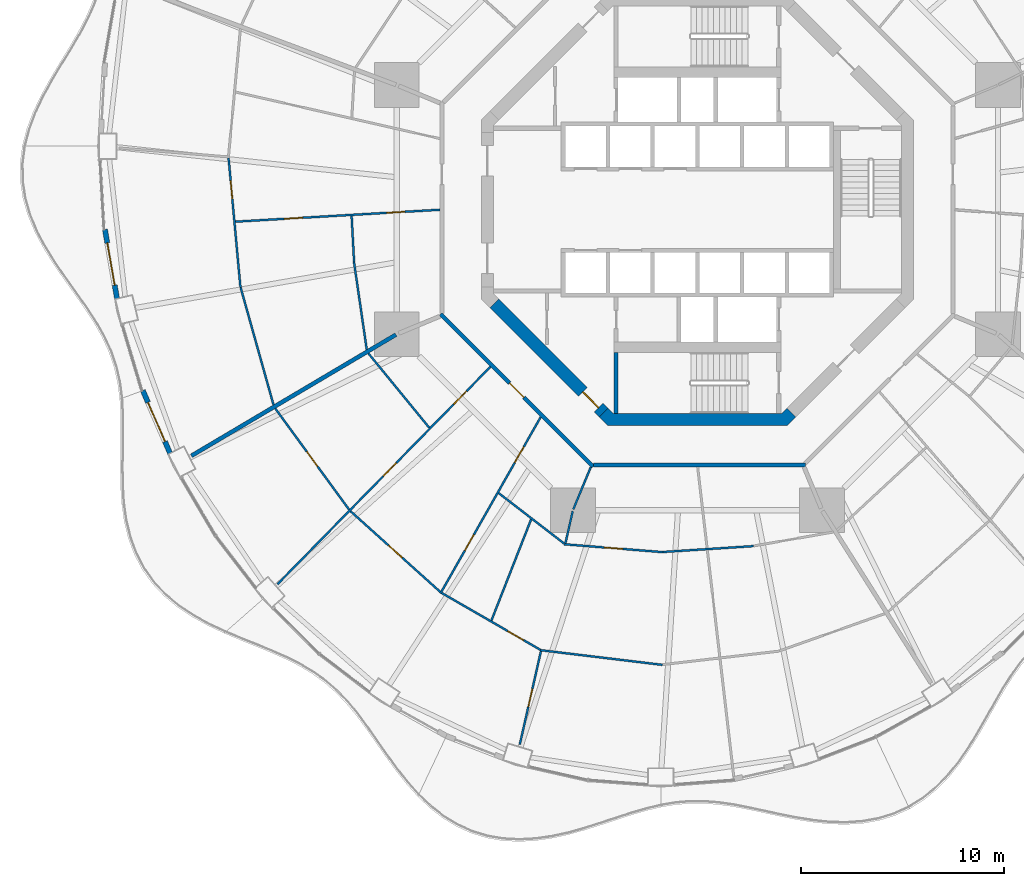
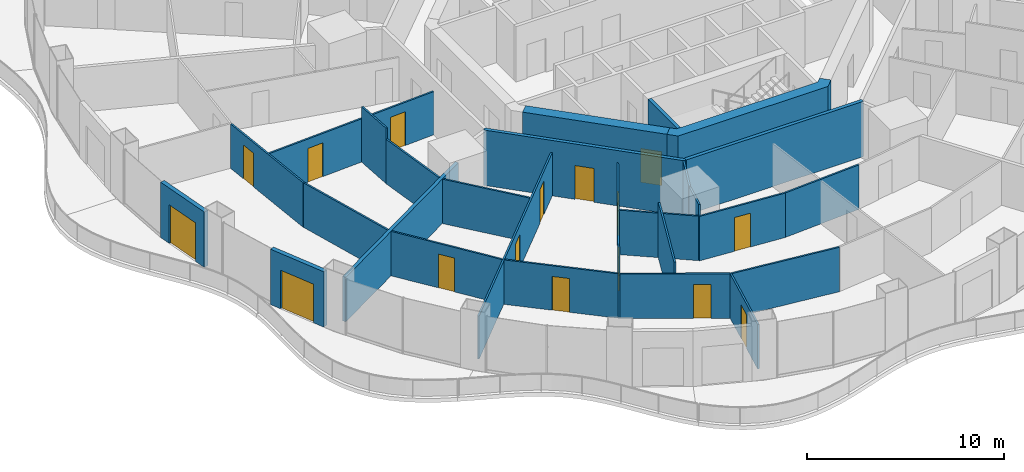
# One storey, part 14 of 22: 27 walls, 16 doors, 16 openings.
"""IFC4 building model written with IfcOpenShell, lengths in metres."""

from ifc_helpers import new_model, si_unit, direction, frame, frame_2d, origin, place, context, subcontext, project, spatial, polyline, rectangle, outline, extrude, material, layer, layer_set, type_object, element, fill, save


model = new_model("IFC4")

# Units and contexts
model_context = context("Model", 3, precision=1e-05, world=origin(), true_north=direction((0.0, 1.0)))
body_context = subcontext(model_context, "Body", "Model", "MODEL_VIEW")
ifc_project = project(units=[si_unit("LENGTHUNIT", "METRE"), si_unit("AREAUNIT", "SQUARE_METRE"), si_unit("VOLUMEUNIT", "CUBIC_METRE"), si_unit("PLANEANGLEUNIT", "RADIAN"), si_unit("MASSUNIT", "GRAM", prefix="KILO")], contexts=[model_context])

# Site, building, storey
site_placement = place(None, origin())
site = spatial("IfcSite", under=ifc_project, at=site_placement, CompositionType="ELEMENT")
building_placement = place(site_placement, origin())
building = spatial("IfcBuilding", under=site, at=building_placement, Name="Nagisa Residences", CompositionType="ELEMENT")
storey_placement = place(building_placement, frame((0.0, 0.0, 91.800048828125)))
storey = spatial("IfcBuildingStorey", under=building, at=storey_placement, Name="L22", CompositionType="ELEMENT", Elevation=91.800048828125)

# Wall
ifc_material_1 = material(Name="Gypsum board on steel studs", Category="steel")
ifc_layer_1 = layer(ifc_material_1, 0.199951171875)
ifc_layer_set_1 = layer_set([ifc_layer_1], Name="Apartment compartment wall EI60 200")
wall_type_1 = type_object("IfcWallType", Name="Apartment compartment wall EI60 200", PredefinedType="PARTITIONING", material=ifc_layer_set_1)
wall_1_placement = place(storey_placement, frame((-14.824951171875, -6.1484375, 0.0), z_axis=(0.0, 0.0, 1.0), x_axis=(-0.860400431487, -0.509618580408, 0.0)))
element("IfcWall", 1, at=wall_1_placement, inside=storey, type_object=wall_type_1, Name="wall:L22:u05", PredefinedType="PARTITIONING", context=body_context, shape_type="SweptSolid", body=[
    extrude(rectangle(XDim=11.687744140625, YDim=0.199951171875, at=frame_2d((5.84375, 0.0))), origin(), (0.0, 0.0, 1.0), 2.761962890625),
])

# Wall, opening, door
ifc_material_2 = material(Name="Gypsum board on steel studs", Category="steel")
ifc_layer_2 = layer(ifc_material_2, 0.199951171875)
ifc_layer_set_2 = layer_set([ifc_layer_2], Name="Apartment entry wall EI60 200")
wall_type_2 = type_object("IfcWallType", Name="Apartment entry wall EI60 200", PredefinedType="PARTITIONING", material=ifc_layer_set_2)
wall_2_placement = place(storey_placement, frame((-12.635498046875, -5.1337890625, 0.0), z_axis=(0.0, 0.0, 1.0), x_axis=(0.707106781187, -0.707106781187, 0.0)))
wall_2 = element("IfcWall", 2, at=wall_2_placement, inside=storey, type_object=wall_type_2, Name="wall:L22:u15", PredefinedType="PARTITIONING", context=body_context, shape_type="SweptSolid", body=[
    extrude(rectangle(XDim=10.609130859375, YDim=0.199951171875, at=frame_2d((5.3046875, 0.0))), origin(), (0.0, 0.0, 1.0), 3.43994140625),
])
opening_1_placement = place(wall_2_placement, frame((4.804443359375, 0.0, 0.0)))
opening_1 = element("IfcOpeningElement", 3, at=opening_1_placement, cuts=wall_2, Name="Opening L22-U24", PredefinedType="OPENING", context=body_context, shape_type="SweptSolid", body=[
    extrude(rectangle(XDim=1.0, YDim=2.10009765625, at=frame_2d((0.5, 1.050048828125))), frame((0.0, 0.10986328125, 0.0), z_axis=(0.0, -1.0, 0.0), x_axis=(1.0, 0.0, 0.0)), (0.0, 0.0, 1.0), 0.219970703125),
])
ifc_material_3 = material(Name="Timber fire door set", Category="wood")
door_type_1 = type_object("IfcDoorType", Name="Apartment entry door FD30S 1000x2100", OperationType="NOTDEFINED", PredefinedType="DOOR", material=ifc_material_3)
door_1_placement = place(opening_1_placement, frame((1.0, 0.0, 0.0), x_axis=(-1.0, 0.0, 0.0)))
door_1 = element("IfcDoor", 4, at=door_1_placement, inside=storey, type_object=door_type_1, Name="Entry door, Apartment 22C", OperationType="SINGLE_SWING_LEFT", OverallHeight=2.10009765625, OverallWidth=1.0, PredefinedType="DOOR", context=body_context, shape_type="SweptSolid", body=[
    extrude(rectangle(XDim=1.0, YDim=2.10009765625, at=frame_2d((0.5, 1.050048828125))), frame((0.0, 0.02490234375, 0.0), z_axis=(0.0, -1.0, 0.0), x_axis=(1.0, 0.0, 0.0)), (0.0, 0.0, 1.0), 0.050048828125),
])
fill(opening_1, door_1)

# Wall
wall_3_placement = place(storey_placement, frame((-5.1044921875, -12.564697265625, 0.0), z_axis=(0.0, 0.0, 1.0), x_axis=(1.0, 0.0, 0.0)))
element("IfcWall", 5, at=wall_3_placement, inside=storey, type_object=wall_type_2, Name="wall:L22:u16", PredefinedType="PARTITIONING", context=body_context, shape_type="SweptSolid", body=[
    extrude(rectangle(XDim=10.408935546875, YDim=0.199951171875, at=frame_2d((5.20458984375, 0.0))), origin(), (0.0, 0.0, 1.0), 3.43994140625),
])

# Wall, opening, door
ifc_material_4 = material(Name="Gypsum board on steel studs", Category="steel")
ifc_layer_3 = layer(ifc_material_4, 0.10009765625)
ifc_layer_set_3 = layer_set([ifc_layer_3], Name="Apartment partition 100")
wall_type_3 = type_object("IfcWallType", Name="Apartment partition 100", PredefinedType="PARTITIONING", material=ifc_layer_set_3)
wall_4_placement = place(storey_placement, frame((-23.056884765625, 2.54248046875, 0.0), z_axis=(0.0, 0.0, 1.0), x_axis=(0.091364304609, -0.995817535417, 0.0)))
wall_4 = element("IfcWall", 6, at=wall_4_placement, inside=storey, type_object=wall_type_3, Name="wall:L22:u60", PredefinedType="PARTITIONING", context=body_context, shape_type="SweptSolid", body=[
    extrude(rectangle(XDim=6.402587890625, YDim=0.10009765625, at=frame_2d((3.201171875, 0.0))), origin(), (0.0, 0.0, 1.0), 2.761962890625),
])
opening_2_placement = place(wall_4_placement, frame((1.12548828125, 0.0, 0.0)))
opening_2 = element("IfcOpeningElement", 7, at=opening_2_placement, cuts=wall_4, Name="Opening L22-U23", PredefinedType="OPENING", context=body_context, shape_type="SweptSolid", body=[
    extrude(rectangle(XDim=0.89990234375, YDim=2.10009765625, at=frame_2d((0.449951171875, 1.050048828125))), frame((0.0, 0.06005859375, 0.0), z_axis=(0.0, -1.0, 0.0), x_axis=(1.0, 0.0, 0.0)), (0.0, 0.0, 1.0), 0.1201171875),
])
ifc_material_5 = material(Name="Timber door set", Category="wood")
door_type_2 = type_object("IfcDoorType", Name="Apartment door 900x2100", OperationType="NOTDEFINED", PredefinedType="DOOR", material=ifc_material_5)
door_2_placement = place(opening_2_placement, frame((0.89990234375, 0.0, 0.0), x_axis=(-1.0, 0.0, 0.0)))
door_2 = element("IfcDoor", 8, at=door_2_placement, inside=storey, type_object=door_type_2, Name="Door to living room, Apartment 22B", OperationType="SINGLE_SWING_RIGHT", OverallHeight=2.10009765625, OverallWidth=0.89990234375, PredefinedType="DOOR", context=body_context, shape_type="SweptSolid", body=[
    extrude(rectangle(XDim=0.89990234375, YDim=2.10009765625, at=frame_2d((0.449951171875, 1.050048828125))), frame((0.0, 0.02490234375, 0.0), z_axis=(0.0, -1.0, 0.0), x_axis=(1.0, 0.0, 0.0)), (0.0, 0.0, 1.0), 0.050048828125),
])
fill(opening_2, door_2)

# Wall, openings, doors
wall_5_placement = place(storey_placement, frame((-12.66455078125, -0.005859375, 0.0), z_axis=(0.0, 0.0, 1.0), x_axis=(-0.998300603128, -0.058274400843, 0.0)))
wall_5 = element("IfcWall", 9, at=wall_5_placement, inside=storey, type_object=wall_type_3, Name="wall:L22:u61", PredefinedType="PARTITIONING", context=body_context, shape_type="SweptSolid", body=[
    extrude(rectangle(XDim=10.071533203125, YDim=0.10009765625, at=frame_2d((5.03564453125, 0.0))), origin(), (0.0, 0.0, 1.0), 2.68701171875),
])
opening_3_placement = place(wall_5_placement, frame((1.7255859375, 0.0, 0.0)))
opening_3 = element("IfcOpeningElement", 10, at=opening_3_placement, cuts=wall_5, Name="Opening L22-U19", PredefinedType="OPENING", context=body_context, shape_type="SweptSolid", body=[
    extrude(rectangle(XDim=0.89990234375, YDim=2.10009765625, at=frame_2d((0.449951171875, 1.050048828125))), frame((0.0, 0.06005859375, 0.0), z_axis=(0.0, -1.0, 0.0), x_axis=(1.0, 0.0, 0.0)), (0.0, 0.0, 1.0), 0.1201171875),
])
opening_4_placement = place(wall_5_placement, frame((6.761474609375, 0.0, 0.0)))
opening_4 = element("IfcOpeningElement", 11, at=opening_4_placement, cuts=wall_5, Name="Opening L22-U21", PredefinedType="OPENING", context=body_context, shape_type="SweptSolid", body=[
    extrude(rectangle(XDim=0.89990234375, YDim=2.10009765625, at=frame_2d((0.449951171875, 1.050048828125))), frame((0.0, 0.06005859375, 0.0), z_axis=(0.0, -1.0, 0.0), x_axis=(1.0, 0.0, 0.0)), (0.0, 0.0, 1.0), 0.1201171875),
])
door_3_placement = place(opening_3_placement, origin())
door_3 = element("IfcDoor", 12, at=door_3_placement, inside=storey, type_object=door_type_2, Name="Door to store, Apartment 22B", OperationType="SINGLE_SWING_LEFT", OverallHeight=2.10009765625, OverallWidth=0.89990234375, PredefinedType="DOOR", context=body_context, shape_type="SweptSolid", body=[
    extrude(rectangle(XDim=0.89990234375, YDim=2.10009765625, at=frame_2d((0.449951171875, 1.050048828125))), frame((0.0, 0.02490234375, 0.0), z_axis=(0.0, -1.0, 0.0), x_axis=(1.0, 0.0, 0.0)), (0.0, 0.0, 1.0), 0.050048828125),
])
fill(opening_3, door_3)
door_4_placement = place(opening_4_placement, origin())
door_4 = element("IfcDoor", 13, at=door_4_placement, inside=storey, type_object=door_type_2, Name="Door to kitchen, Apartment 22B", OperationType="SINGLE_SWING_LEFT", OverallHeight=2.10009765625, OverallWidth=0.89990234375, PredefinedType="DOOR", context=body_context, shape_type="SweptSolid", body=[
    extrude(rectangle(XDim=0.89990234375, YDim=2.10009765625, at=frame_2d((0.449951171875, 1.050048828125))), frame((0.0, 0.02490234375, 0.0), z_axis=(0.0, -1.0, 0.0), x_axis=(1.0, 0.0, 0.0)), (0.0, 0.0, 1.0), 0.050048828125),
])
fill(opening_4, door_4)

# Walls
wall_6_placement = place(storey_placement, frame((-17.005859375, -0.309326171875, 0.0), z_axis=(0.0, 0.0, 1.0), x_axis=(0.053749298185, -0.998554461682, 0.0)))
element("IfcWall", 14, at=wall_6_placement, inside=storey, type_object=wall_type_3, Name="wall:L22:u62", PredefinedType="PARTITIONING", context=body_context, shape_type="SweptSolid", body=[
    extrude(rectangle(XDim=2.27099609375, YDim=0.10009765625, at=frame_2d((1.135498046875, 0.0))), origin(), (0.0, 0.0, 1.0), 3.43994140625),
])
wall_7_placement = place(storey_placement, frame((-16.888427734375, -2.577392578125, 0.0), z_axis=(0.0, 0.0, 1.0), x_axis=(0.144228053649, -0.989544475272, 0.0)))
element("IfcWall", 15, at=wall_7_placement, inside=storey, type_object=wall_type_3, Name="wall:L22:u63", PredefinedType="PARTITIONING", context=body_context, shape_type="SweptSolid", body=[
    extrude(rectangle(XDim=4.35888671875, YDim=0.10009765625, at=frame_2d((2.179443359375, 0.0))), origin(), (0.0, 0.0, 1.0), 2.761962890625),
])
wall_8_placement = place(storey_placement, frame((-22.462890625, -3.83154296875, 0.0), z_axis=(0.0, 0.0, 1.0), x_axis=(0.269805201578, -0.962914925215, 0.0)))
element("IfcWall", 16, at=wall_8_placement, inside=storey, type_object=wall_type_3, Name="wall:L22:u64", PredefinedType="PARTITIONING", context=body_context, shape_type="SweptSolid", body=[
    extrude(rectangle(XDim=5.992919921875, YDim=0.10009765625, at=frame_2d((2.99658203125, 0.0))), origin(), (0.0, 0.0, 1.0), 2.761962890625),
])
wall_9_placement = place(storey_placement, frame((-16.181884765625, -7.067138671875, 0.0), z_axis=(0.0, 0.0, 1.0), x_axis=(0.633400832951, -0.773823871962, 0.0)))
element("IfcWall", 17, at=wall_9_placement, inside=storey, type_object=wall_type_3, Name="wall:L22:u65", PredefinedType="PARTITIONING", context=body_context, shape_type="SweptSolid", body=[
    extrude(rectangle(XDim=4.72900390625, YDim=0.10009765625, at=frame_2d((2.364501953125, 0.0))), origin(), (0.0, 0.0, 1.0), 2.761962890625),
])

# Wall, opening, door
wall_10_placement = place(storey_placement, frame((-20.760009765625, -9.779296875, 0.0), z_axis=(0.0, 0.0, 1.0), x_axis=(0.589597019189, -0.807697564045, 0.0)))
wall_10 = element("IfcWall", 18, at=wall_10_placement, inside=storey, type_object=wall_type_3, Name="wall:L22:u66", PredefinedType="PARTITIONING", context=body_context, shape_type="SweptSolid", body=[
    extrude(rectangle(XDim=6.15771484375, YDim=0.10009765625, at=frame_2d((3.078857421875, 0.0))), origin(), (0.0, 0.0, 1.0), 2.761962890625),
])
opening_5_placement = place(wall_10_placement, frame((2.62890625, 0.0, 0.0)))
opening_5 = element("IfcOpeningElement", 19, at=opening_5_placement, cuts=wall_10, Name="Opening L22-U29", PredefinedType="OPENING", context=body_context, shape_type="SweptSolid", body=[
    extrude(rectangle(XDim=0.89990234375, YDim=2.10009765625, at=frame_2d((0.449951171875, 1.050048828125))), frame((0.0, 0.06005859375, 0.0), z_axis=(0.0, -1.0, 0.0), x_axis=(1.0, 0.0, 0.0)), (0.0, 0.0, 1.0), 0.1201171875),
])
door_5_placement = place(opening_5_placement, frame((0.89990234375, 0.0, 0.0), x_axis=(-1.0, 0.0, 0.0)))
door_5 = element("IfcDoor", 20, at=door_5_placement, inside=storey, type_object=door_type_2, Name="Door to master bedroom, Apartment 22C", OperationType="SINGLE_SWING_RIGHT", OverallHeight=2.10009765625, OverallWidth=0.89990234375, PredefinedType="DOOR", context=body_context, shape_type="SweptSolid", body=[
    extrude(rectangle(XDim=0.89990234375, YDim=2.10009765625, at=frame_2d((0.449951171875, 1.050048828125))), frame((0.0, 0.02490234375, 0.0), z_axis=(0.0, -1.0, 0.0), x_axis=(1.0, 0.0, 0.0)), (0.0, 0.0, 1.0), 0.050048828125),
])
fill(opening_5, door_5)

# Wall, openings, doors
wall_11_placement = place(storey_placement, frame((-10.181396484375, -7.729248046875, 0.0), z_axis=(0.0, 0.0, 1.0), x_axis=(-0.699708106083, -0.714428839201, 0.0)))
wall_11 = element("IfcWall", 21, at=wall_11_placement, inside=storey, type_object=wall_type_3, Name="wall:L22:u67", PredefinedType="PARTITIONING", context=body_context, shape_type="SweptSolid", body=[
    extrude(rectangle(XDim=14.95947265625, YDim=0.10009765625, at=frame_2d((7.479736328125, 0.0))), origin(), (0.0, 0.0, 1.0), 2.68701171875),
])
opening_6_placement = place(wall_11_placement, frame((1.6748046875, 0.0, 0.0)))
opening_6 = element("IfcOpeningElement", 22, at=opening_6_placement, cuts=wall_11, Name="Opening L22-U25", PredefinedType="OPENING", context=body_context, shape_type="SweptSolid", body=[
    extrude(rectangle(XDim=0.89990234375, YDim=2.10009765625, at=frame_2d((0.449951171875, 1.050048828125))), frame((0.0, 0.06005859375, 0.0), z_axis=(0.0, -1.0, 0.0), x_axis=(1.0, 0.0, 0.0)), (0.0, 0.0, 1.0), 0.1201171875),
])
opening_7_placement = place(wall_11_placement, frame((6.61865234375, 0.0, 0.0)))
opening_7 = element("IfcOpeningElement", 23, at=opening_7_placement, cuts=wall_11, Name="Opening L22-U27", PredefinedType="OPENING", context=body_context, shape_type="SweptSolid", body=[
    extrude(rectangle(XDim=0.89990234375, YDim=2.10009765625, at=frame_2d((0.449951171875, 1.050048828125))), frame((0.0, 0.06005859375, 0.0), z_axis=(0.0, -1.0, 0.0), x_axis=(1.0, 0.0, 0.0)), (0.0, 0.0, 1.0), 0.1201171875),
])
door_6_placement = place(opening_6_placement, frame((0.89990234375, 0.0, 0.0), x_axis=(-1.0, 0.0, 0.0)))
door_6 = element("IfcDoor", 24, at=door_6_placement, inside=storey, type_object=door_type_2, Name="Door to laundry, Apartment 22C", OperationType="SINGLE_SWING_RIGHT", OverallHeight=2.10009765625, OverallWidth=0.89990234375, PredefinedType="DOOR", context=body_context, shape_type="SweptSolid", body=[
    extrude(rectangle(XDim=0.89990234375, YDim=2.10009765625, at=frame_2d((0.449951171875, 1.050048828125))), frame((0.0, 0.02490234375, 0.0), z_axis=(0.0, -1.0, 0.0), x_axis=(1.0, 0.0, 0.0)), (0.0, 0.0, 1.0), 0.050048828125),
])
fill(opening_6, door_6)
door_7_placement = place(opening_7_placement, frame((0.89990234375, 0.0, 0.0), x_axis=(-1.0, 0.0, 0.0)))
door_7 = element("IfcDoor", 25, at=door_7_placement, inside=storey, type_object=door_type_2, Name="Door to family room, Apartment 22C", OperationType="SINGLE_SWING_RIGHT", OverallHeight=2.10009765625, OverallWidth=0.89990234375, PredefinedType="DOOR", context=body_context, shape_type="SweptSolid", body=[
    extrude(rectangle(XDim=0.89990234375, YDim=2.10009765625, at=frame_2d((0.449951171875, 1.050048828125))), frame((0.0, 0.02490234375, 0.0), z_axis=(0.0, -1.0, 0.0), x_axis=(1.0, 0.0, 0.0)), (0.0, 0.0, 1.0), 0.050048828125),
])
fill(opening_7, door_7)

# Wall, opening, door
wall_12_placement = place(storey_placement, frame((-17.062744140625, -14.826904296875, 0.0), z_axis=(0.0, 0.0, 1.0), x_axis=(0.743478142868, -0.668760234373, 0.0)))
wall_12 = element("IfcWall", 26, at=wall_12_placement, inside=storey, type_object=wall_type_3, Name="wall:L22:u68", PredefinedType="PARTITIONING", context=body_context, shape_type="SweptSolid", body=[
    extrude(rectangle(XDim=5.93701171875, YDim=0.10009765625, at=frame_2d((2.968505859375, 0.0))), origin(), (0.0, 0.0, 1.0), 2.761962890625),
])
opening_8_placement = place(wall_12_placement, frame((2.5185546875, 0.0, 0.0)))
opening_8 = element("IfcOpeningElement", 27, at=opening_8_placement, cuts=wall_12, Name="Opening L22-U30", PredefinedType="OPENING", context=body_context, shape_type="SweptSolid", body=[
    extrude(rectangle(XDim=0.89990234375, YDim=2.10009765625, at=frame_2d((0.449951171875, 1.050048828125))), frame((0.0, 0.06005859375, 0.0), z_axis=(0.0, -1.0, 0.0), x_axis=(1.0, 0.0, 0.0)), (0.0, 0.0, 1.0), 0.1201171875),
])
door_8_placement = place(opening_8_placement, frame((0.89990234375, 0.0, 0.0), x_axis=(-1.0, 0.0, 0.0)))
door_8 = element("IfcDoor", 28, at=door_8_placement, inside=storey, type_object=door_type_2, Name="Door to living room, Apartment 22C", OperationType="SINGLE_SWING_LEFT", OverallHeight=2.10009765625, OverallWidth=0.89990234375, PredefinedType="DOOR", context=body_context, shape_type="SweptSolid", body=[
    extrude(rectangle(XDim=0.89990234375, YDim=2.10009765625, at=frame_2d((0.449951171875, 1.050048828125))), frame((0.0, 0.02490234375, 0.0), z_axis=(0.0, -1.0, 0.0), x_axis=(1.0, 0.0, 0.0)), (0.0, 0.0, 1.0), 0.050048828125),
])
fill(opening_8, door_8)

# Wall, openings, doors
wall_13_placement = place(storey_placement, frame((-7.707275390625, -10.1982421875, 0.0), z_axis=(0.0, 0.0, 1.0), x_axis=(-0.493963587489, -0.869482589955, 0.0)))
wall_13 = element("IfcWall", 29, at=wall_13_placement, inside=storey, type_object=wall_type_3, Name="wall:L22:u69", PredefinedType="PARTITIONING", context=body_context, shape_type="SweptSolid", body=[
    extrude(rectangle(XDim=9.978271484375, YDim=0.10009765625, at=frame_2d((4.9892578125, 0.0))), origin(), (0.0, 0.0, 1.0), 2.68701171875),
])
opening_9_placement = place(wall_13_placement, frame((1.68359375, 0.0, 0.0)))
opening_9 = element("IfcOpeningElement", 30, at=opening_9_placement, cuts=wall_13, Name="Opening L22-U26", PredefinedType="OPENING", context=body_context, shape_type="SweptSolid", body=[
    extrude(rectangle(XDim=0.89990234375, YDim=2.10009765625, at=frame_2d((0.449951171875, 1.050048828125))), frame((0.0, 0.06005859375, 0.0), z_axis=(0.0, -1.0, 0.0), x_axis=(1.0, 0.0, 0.0)), (0.0, 0.0, 1.0), 0.1201171875),
])
opening_10_placement = place(wall_13_placement, frame((6.647705078125, 0.0, 0.0)))
opening_10 = element("IfcOpeningElement", 31, at=opening_10_placement, cuts=wall_13, Name="Opening L22-U28", PredefinedType="OPENING", context=body_context, shape_type="SweptSolid", body=[
    extrude(rectangle(XDim=0.89990234375, YDim=2.10009765625, at=frame_2d((0.449951171875, 1.050048828125))), frame((0.0, 0.06005859375, 0.0), z_axis=(0.0, -1.0, 0.0), x_axis=(1.0, 0.0, 0.0)), (0.0, 0.0, 1.0), 0.1201171875),
])
door_9_placement = place(opening_9_placement, origin())
door_9 = element("IfcDoor", 32, at=door_9_placement, inside=storey, type_object=door_type_2, Name="Door to family bathroom, Apartment 22C", OperationType="SINGLE_SWING_RIGHT", OverallHeight=2.10009765625, OverallWidth=0.89990234375, PredefinedType="DOOR", context=body_context, shape_type="SweptSolid", body=[
    extrude(rectangle(XDim=0.89990234375, YDim=2.10009765625, at=frame_2d((0.449951171875, 1.050048828125))), frame((0.0, 0.02490234375, 0.0), z_axis=(0.0, -1.0, 0.0), x_axis=(1.0, 0.0, 0.0)), (0.0, 0.0, 1.0), 0.050048828125),
])
fill(opening_9, door_9)
door_10_placement = place(opening_10_placement, origin())
door_10 = element("IfcDoor", 33, at=door_10_placement, inside=storey, type_object=door_type_2, Name="Door to family bathroom, Apartment 22C", OperationType="SINGLE_SWING_RIGHT", OverallHeight=2.10009765625, OverallWidth=0.89990234375, PredefinedType="DOOR", context=body_context, shape_type="SweptSolid", body=[
    extrude(rectangle(XDim=0.89990234375, YDim=2.10009765625, at=frame_2d((0.449951171875, 1.050048828125))), frame((0.0, 0.02490234375, 0.0), z_axis=(0.0, -1.0, 0.0), x_axis=(1.0, 0.0, 0.0)), (0.0, 0.0, 1.0), 0.050048828125),
])
fill(opening_10, door_10)

# Wall
wall_14_placement = place(storey_placement, frame((-9.775390625, -13.93896484375, 0.0), z_axis=(0.0, 0.0, 1.0), x_axis=(0.792156642473, -0.61031783014, 0.0)))
element("IfcWall", 34, at=wall_14_placement, inside=storey, type_object=wall_type_3, Name="wall:L22:u70", PredefinedType="PARTITIONING", context=body_context, shape_type="SweptSolid", body=[
    extrude(rectangle(XDim=4.080322265625, YDim=0.10009765625, at=frame_2d((2.0400390625, 0.0))), origin(), (0.0, 0.0, 1.0), 2.761962890625),
])

# Wall, opening, door
wall_15_placement = place(storey_placement, frame((-12.568115234375, -18.855712890625, 0.0), z_axis=(0.0, 0.0, 1.0), x_axis=(0.866532513598, -0.499120629585, 0.0)))
wall_15 = element("IfcWall", 35, at=wall_15_placement, inside=storey, type_object=wall_type_3, Name="wall:L22:u71", PredefinedType="PARTITIONING", context=body_context, shape_type="SweptSolid", body=[
    extrude(rectangle(XDim=5.5849609375, YDim=0.10009765625, at=frame_2d((2.79248046875, 0.0))), origin(), (0.0, 0.0, 1.0), 2.761962890625),
])
opening_11_placement = place(wall_15_placement, frame((3.73876953125, 0.0, 0.0)))
opening_11 = element("IfcOpeningElement", 36, at=opening_11_placement, cuts=wall_15, Name="Opening L22-U32", PredefinedType="OPENING", context=body_context, shape_type="SweptSolid", body=[
    extrude(rectangle(XDim=0.89990234375, YDim=2.10009765625, at=frame_2d((0.449951171875, 1.050048828125))), frame((0.0, 0.06005859375, 0.0), z_axis=(0.0, -1.0, 0.0), x_axis=(1.0, 0.0, 0.0)), (0.0, 0.0, 1.0), 0.1201171875),
])
door_11_placement = place(opening_11_placement, origin())
door_11 = element("IfcDoor", 37, at=door_11_placement, inside=storey, type_object=door_type_2, Name="Door to dining room, Apartment 22C", OperationType="SINGLE_SWING_RIGHT", OverallHeight=2.10009765625, OverallWidth=0.89990234375, PredefinedType="DOOR", context=body_context, shape_type="SweptSolid", body=[
    extrude(rectangle(XDim=0.89990234375, YDim=2.10009765625, at=frame_2d((0.449951171875, 1.050048828125))), frame((0.0, 0.02490234375, 0.0), z_axis=(0.0, -1.0, 0.0), x_axis=(1.0, 0.0, 0.0)), (0.0, 0.0, 1.0), 0.050048828125),
])
fill(opening_11, door_11)

# Walls
wall_16_placement = place(storey_placement, frame((-8.177490234375, -15.230712890625, 0.0), z_axis=(0.0, 0.0, 1.0), x_axis=(-0.365520869553, -0.930803144559, 0.0)))
element("IfcWall", 38, at=wall_16_placement, inside=storey, type_object=wall_type_3, Name="wall:L22:u72", PredefinedType="PARTITIONING", context=body_context, shape_type="SweptSolid", body=[
    extrude(rectangle(XDim=5.342041015625, YDim=0.10009765625, at=frame_2d((2.6708984375, 0.0))), origin(), (0.0, 0.0, 1.0), 3.43994140625),
])
wall_17_placement = place(storey_placement, frame((-5.24267578125, -12.6572265625, 0.0), z_axis=(0.0, 0.0, 1.0), x_axis=(-0.382719158442, -0.923864733477, 0.0)))
element("IfcWall", 39, at=wall_17_placement, inside=storey, type_object=wall_type_3, Name="wall:L22:u73", PredefinedType="PARTITIONING", context=body_context, shape_type="SweptSolid", body=[
    extrude(rectangle(XDim=2.25, YDim=0.10009765625, at=frame_2d((1.125, 0.0))), origin(), (0.0, 0.0, 1.0), 3.43994140625),
])
wall_18_placement = place(storey_placement, frame((-6.134033203125, -14.831298828125, 0.0), z_axis=(0.0, 0.0, 1.0), x_axis=(-0.221269290858, -0.975212746493, 0.0)))
element("IfcWall", 40, at=wall_18_placement, inside=storey, type_object=wall_type_3, Name="wall:L22:u74", PredefinedType="PARTITIONING", context=body_context, shape_type="SweptSolid", body=[
    extrude(rectangle(XDim=1.61962890625, YDim=0.10009765625, at=frame_2d((0.809814453125, 0.0))), origin(), (0.0, 0.0, 1.0), 3.43994140625),
])

# Wall, opening, door
wall_19_placement = place(storey_placement, frame((-6.55322265625, -16.45556640625, 0.0), z_axis=(0.0, 0.0, 1.0), x_axis=(0.996817033118, -0.079723286975, 0.0)))
wall_19 = element("IfcWall", 41, at=wall_19_placement, inside=storey, type_object=wall_type_3, Name="wall:L22:u75", PredefinedType="PARTITIONING", context=body_context, shape_type="SweptSolid", body=[
    extrude(rectangle(XDim=4.865966796875, YDim=0.10009765625, at=frame_2d((2.43310546875, 0.0))), origin(), (0.0, 0.0, 1.0), 2.761962890625),
])
opening_12_placement = place(wall_19_placement, frame((1.983154296875, 0.0, 0.0)))
opening_12 = element("IfcOpeningElement", 42, at=opening_12_placement, cuts=wall_19, Name="Opening L22-U35", PredefinedType="OPENING", context=body_context, shape_type="SweptSolid", body=[
    extrude(rectangle(XDim=0.89990234375, YDim=2.10009765625, at=frame_2d((0.449951171875, 1.050048828125))), frame((0.0, 0.06005859375, 0.0), z_axis=(0.0, -1.0, 0.0), x_axis=(1.0, 0.0, 0.0)), (0.0, 0.0, 1.0), 0.1201171875),
])
door_12_placement = place(opening_12_placement, origin())
door_12 = element("IfcDoor", 43, at=door_12_placement, inside=storey, type_object=door_type_2, Name="Door to store, Apartment 22C", OperationType="SINGLE_SWING_LEFT", OverallHeight=2.10009765625, OverallWidth=0.89990234375, PredefinedType="DOOR", context=body_context, shape_type="SweptSolid", body=[
    extrude(rectangle(XDim=0.89990234375, YDim=2.10009765625, at=frame_2d((0.449951171875, 1.050048828125))), frame((0.0, 0.02490234375, 0.0), z_axis=(0.0, -1.0, 0.0), x_axis=(1.0, 0.0, 0.0)), (0.0, 0.0, 1.0), 0.050048828125),
])
fill(opening_12, door_12)

wall_20_placement = place(storey_placement, frame((-7.6962890625, -21.717041015625, 0.0), z_axis=(0.0, 0.0, 1.0), x_axis=(-0.221196717441, -0.97522921008, 0.0)))
wall_20 = element("IfcWall", 44, at=wall_20_placement, inside=storey, type_object=wall_type_3, Name="wall:L22:u76", PredefinedType="PARTITIONING", context=body_context, shape_type="SweptSolid", body=[
    extrude(rectangle(XDim=4.69970703125, YDim=0.10009765625, at=frame_2d((2.349853515625, 0.0))), origin(), (0.0, 0.0, 1.0), 2.761962890625),
])
opening_13_placement = place(wall_20_placement, frame((1.89990234375, 0.0, 0.0)))
opening_13 = element("IfcOpeningElement", 45, at=opening_13_placement, cuts=wall_20, Name="Opening L22-U31", PredefinedType="OPENING", context=body_context, shape_type="SweptSolid", body=[
    extrude(rectangle(XDim=0.89990234375, YDim=2.10009765625, at=frame_2d((0.449951171875, 1.050048828125))), frame((0.0, 0.06005859375, 0.0), z_axis=(0.0, -1.0, 0.0), x_axis=(1.0, 0.0, 0.0)), (0.0, 0.0, 1.0), 0.1201171875),
])
door_13_placement = place(opening_13_placement, origin())
door_13 = element("IfcDoor", 46, at=door_13_placement, inside=storey, type_object=door_type_2, Name="Door to master bedroom, Apartment 22C", OperationType="SINGLE_SWING_LEFT", OverallHeight=2.10009765625, OverallWidth=0.89990234375, PredefinedType="DOOR", context=body_context, shape_type="SweptSolid", body=[
    extrude(rectangle(XDim=0.89990234375, YDim=2.10009765625, at=frame_2d((0.449951171875, 1.050048828125))), frame((0.0, 0.02490234375, 0.0), z_axis=(0.0, -1.0, 0.0), x_axis=(1.0, 0.0, 0.0)), (0.0, 0.0, 1.0), 0.050048828125),
])
fill(opening_13, door_13)

# Walls
wall_21_placement = place(storey_placement, frame((-7.73486328125, -21.662353515625, 0.0), z_axis=(0.0, 0.0, 1.0), x_axis=(0.992808347289, -0.119714600421, 0.0)))
element("IfcWall", 47, at=wall_21_placement, inside=storey, type_object=wall_type_3, Name="wall:L22:u77", PredefinedType="PARTITIONING", context=body_context, shape_type="SweptSolid", body=[
    extrude(rectangle(XDim=6.052734375, YDim=0.10009765625, at=frame_2d((3.0263671875, 0.0))), origin(), (0.0, 0.0, 1.0), 2.761962890625),
])
wall_22_placement = place(storey_placement, frame((-1.70263671875, -16.83642578125, 0.0), z_axis=(0.0, 0.0, 1.0), x_axis=(0.997899919101, 0.064774620473, 0.0)))
element("IfcWall", 48, at=wall_22_placement, inside=storey, type_object=wall_type_3, Name="wall:L22:u78", PredefinedType="PARTITIONING", context=body_context, shape_type="SweptSolid", body=[
    extrude(rectangle(XDim=4.477783203125, YDim=0.10009765625, at=frame_2d((2.23876953125, 0.0))), origin(), (0.0, 0.0, 1.0), 2.761962890625),
])

# Wall, opening, door
ifc_material_6 = material(Name="Precast concrete C40/50", Category="concrete")
ifc_layer_4 = layer(ifc_material_6, 0.25)
ifc_layer_set_4 = layer_set([ifc_layer_4], Name="BALCONY DOOR WALL 250")
wall_type_4 = type_object("IfcWallType", Name="BALCONY DOOR WALL 250", PredefinedType="SOLIDWALL", material=ifc_layer_set_4)
wall_23_placement = place(storey_placement, frame((-28.5400390625, -4.377197265625, 0.0), z_axis=(0.0, 0.0, 1.0), x_axis=(-0.17223289558, 0.985056257114, 0.0)))
wall_23 = element("IfcWall", 49, at=wall_23_placement, inside=storey, type_object=wall_type_4, Name="wall:L22:bay25", PredefinedType="SOLIDWALL", context=body_context, shape_type="SweptSolid", body=[
    extrude(rectangle(XDim=3.454345703125, YDim=0.25, at=frame_2d((1.72705078125, 0.0))), origin(), (0.0, 0.0, 1.0), 3.43994140625),
])
opening_14_placement = place(wall_23_placement, frame((0.67724609375, 0.0, 0.0)))
opening_14 = element("IfcOpeningElement", 50, at=opening_14_placement, cuts=wall_23, Name="Opening BD-L22-09", PredefinedType="OPENING", context=body_context, shape_type="SweptSolid", body=[
    extrude(rectangle(XDim=2.10009765625, YDim=2.39990234375, at=frame_2d((1.050048828125, 1.199951171875))), frame((0.0, 0.135009765625, 0.0), z_axis=(0.0, -1.0, 0.0), x_axis=(1.0, 0.0, 0.0)), (0.0, 0.0, 1.0), 0.27001953125),
])
ifc_material_7 = material(Name="Aluminium and clear glass", Category="aluminium")
door_type_3 = type_object("IfcDoorType", Name="BALCONY SLIDING DOOR 2100x2400", OperationType="SLIDING_TO_LEFT", PredefinedType="DOOR", material=ifc_material_7)
door_14_placement = place(opening_14_placement, origin())
door_14 = element("IfcDoor", 51, at=door_14_placement, inside=storey, type_object=door_type_3, Name="door:L22:bay25", OperationType="SLIDING_TO_LEFT", OverallHeight=2.39990234375, OverallWidth=2.10009765625, PredefinedType="DOOR", context=body_context, shape_type="SweptSolid", body=[
    extrude(rectangle(XDim=2.10009765625, YDim=2.39990234375, at=frame_2d((1.050048828125, 1.199951171875))), frame((0.0, 0.02490234375, 0.0), z_axis=(0.0, -1.0, 0.0), x_axis=(1.0, 0.0, 0.0)), (0.0, 0.0, 1.0), 0.050048828125),
])
fill(opening_14, door_14)

wall_24_placement = place(storey_placement, frame((-25.92822265625, -11.99365234375, 0.0), z_axis=(0.0, 0.0, 1.0), x_axis=(-0.397682447205, 0.917523117521, 0.0)))
wall_24 = element("IfcWall", 52, at=wall_24_placement, inside=storey, type_object=wall_type_4, Name="wall:L22:bay27", PredefinedType="SOLIDWALL", context=body_context, shape_type="SweptSolid", body=[
    extrude(rectangle(XDim=3.379638671875, YDim=0.25, at=frame_2d((1.68994140625, 0.0))), origin(), (0.0, 0.0, 1.0), 3.43994140625),
])
opening_15_placement = place(wall_24_placement, frame((0.6396484375, 0.0, 0.0)))
opening_15 = element("IfcOpeningElement", 53, at=opening_15_placement, cuts=wall_24, Name="Opening BD-L22-10", PredefinedType="OPENING", context=body_context, shape_type="SweptSolid", body=[
    extrude(rectangle(XDim=2.10009765625, YDim=2.39990234375, at=frame_2d((1.050048828125, 1.199951171875))), frame((0.0, 0.135009765625, 0.0), z_axis=(0.0, -1.0, 0.0), x_axis=(1.0, 0.0, 0.0)), (0.0, 0.0, 1.0), 0.27001953125),
])
door_15_placement = place(opening_15_placement, origin())
door_15 = element("IfcDoor", 54, at=door_15_placement, inside=storey, type_object=door_type_3, Name="door:L22:bay27", OperationType="SLIDING_TO_LEFT", OverallHeight=2.39990234375, OverallWidth=2.10009765625, PredefinedType="DOOR", context=body_context, shape_type="SweptSolid", body=[
    extrude(rectangle(XDim=2.10009765625, YDim=2.39990234375, at=frame_2d((1.050048828125, 1.199951171875))), frame((0.0, 0.02490234375, 0.0), z_axis=(0.0, -1.0, 0.0), x_axis=(1.0, 0.0, 0.0)), (0.0, 0.0, 1.0), 0.050048828125),
])
fill(opening_15, door_15)

ifc_material_8 = material(Name="Concrete C60", Category="concrete")
ifc_layer_5 = layer(ifc_material_8, 0.60009765625)
ifc_layer_set_5 = layer_set([ifc_layer_5], Name="Core shear wall 600")
wall_type_5 = type_object("IfcWallType", Name="Core shear wall 600", PredefinedType="SHEAR", material=ifc_layer_set_5)
wall_25_placement = place(storey_placement, frame((-9.98828125, -4.613037109375, 0.0), z_axis=(0.0, 0.0, 1.0), x_axis=(0.707106781187, -0.707106781187, 0.0)))
wall_25 = element("IfcWall", 55, at=wall_25_placement, inside=storey, type_object=wall_type_5, Name="wall:L22:core:flat5", PredefinedType="SHEAR", context=body_context, shape_type="SweptSolid", body=[
    extrude(rectangle(XDim=7.601806640625, YDim=0.60009765625, at=frame_2d((3.80078125, 0.0))), origin(), (0.0, 0.0, 1.0), 3.43994140625),
])
opening_16_placement = place(wall_25_placement, frame((6.15087890625, 0.0, 0.0)))
opening_16 = element("IfcOpeningElement", 56, at=opening_16_placement, cuts=wall_25, Name="Opening L22-C20", PredefinedType="OPENING", context=body_context, shape_type="SweptSolid", body=[
    extrude(rectangle(XDim=1.10009765625, YDim=2.10009765625, at=frame_2d((0.550048828125, 1.050048828125))), frame((0.0, 0.31005859375, 0.0), z_axis=(0.0, -1.0, 0.0), x_axis=(1.0, 0.0, 0.0)), (0.0, 0.0, 1.0), 0.6201171875),
])
ifc_material_9 = material(Name="Steel fire door", Category="steel")
door_type_4 = type_object("IfcDoorType", Name="Fire door EI60 1100x2100 single swing", OperationType="NOTDEFINED", PredefinedType="DOOR", material=ifc_material_9)
door_16_placement = place(opening_16_placement, origin())
door_16 = element("IfcDoor", 57, at=door_16_placement, inside=storey, type_object=door_type_4, Name="Housekeeping lobby door L22", OperationType="SINGLE_SWING_RIGHT", OverallHeight=2.10009765625, OverallWidth=1.10009765625, PredefinedType="DOOR", context=body_context, shape_type="SweptSolid", body=[
    extrude(rectangle(XDim=1.10009765625, YDim=2.10009765625, at=frame_2d((0.550048828125, 1.050048828125))), frame((0.0, 0.02490234375, 0.0), z_axis=(0.0, -1.0, 0.0), x_axis=(1.0, 0.0, 0.0)), (0.0, 0.0, 1.0), 0.050048828125),
])
fill(opening_16, door_16)

# Walls
wall_26_placement = place(storey_placement, origin())
element("IfcWall", 58, at=wall_26_placement, inside=storey, type_object=wall_type_5, Name="wall:L22:core:flat6", PredefinedType="SHEAR", context=body_context, shape_type="SweptSolid", body=[
    extrude(outline(polyline([(-4.15234375, -10.024658203125), (4.15234375, -10.024658203125), (4.40087890625, -9.776123046875), (4.8251953125, -10.200439453125), (4.40087890625, -10.62451171875), (-4.40087890625, -10.62451171875), (-4.8251953125, -10.200439453125), (-4.40087890625, -9.776123046875), (-4.15234375, -10.024658203125)])), origin(), (0.0, 0.0, 1.0), 3.43994140625),
])
ifc_material_10 = material(Name="Concrete C60", Category="concrete")
ifc_layer_6 = layer(ifc_material_10, 0.199951171875)
ifc_layer_set_6 = layer_set([ifc_layer_6], Name="Stair enclosure wall 200")
wall_type_6 = type_object("IfcWallType", Name="Stair enclosure wall 200", PredefinedType="SOLIDWALL", material=ifc_layer_set_6)
wall_27_placement = place(storey_placement, origin())
element("IfcWall", 59, at=wall_27_placement, inside=storey, type_object=wall_type_6, Name="wall:L22:SS_w", PredefinedType="SOLIDWALL", context=body_context, shape_type="SweptSolid", body=[
    extrude(outline(polyline([(-3.89990234375, -10.024658203125), (-4.10009765625, -10.024658203125), (-4.10009765625, -7.024658203125), (-3.89990234375, -7.024658203125), (-3.89990234375, -10.024658203125)])), origin(), (0.0, 0.0, 1.0), 3.43994140625),
])

save(model, "model.ifc")
